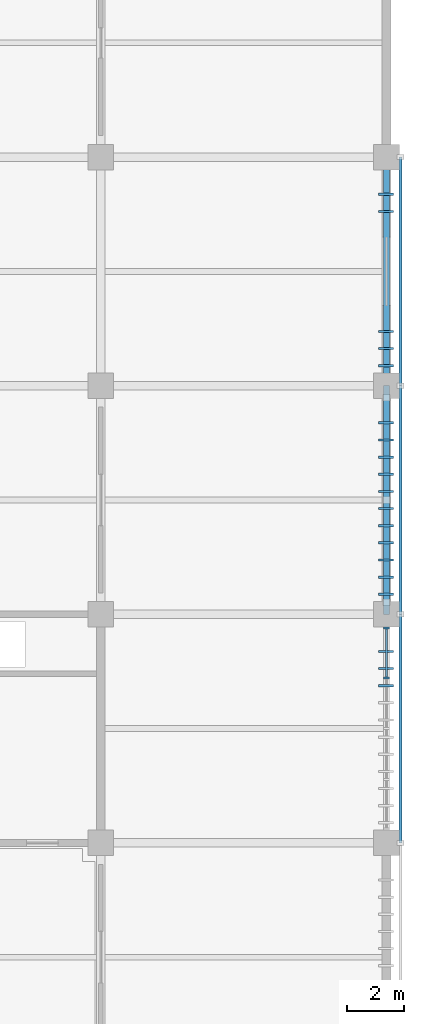
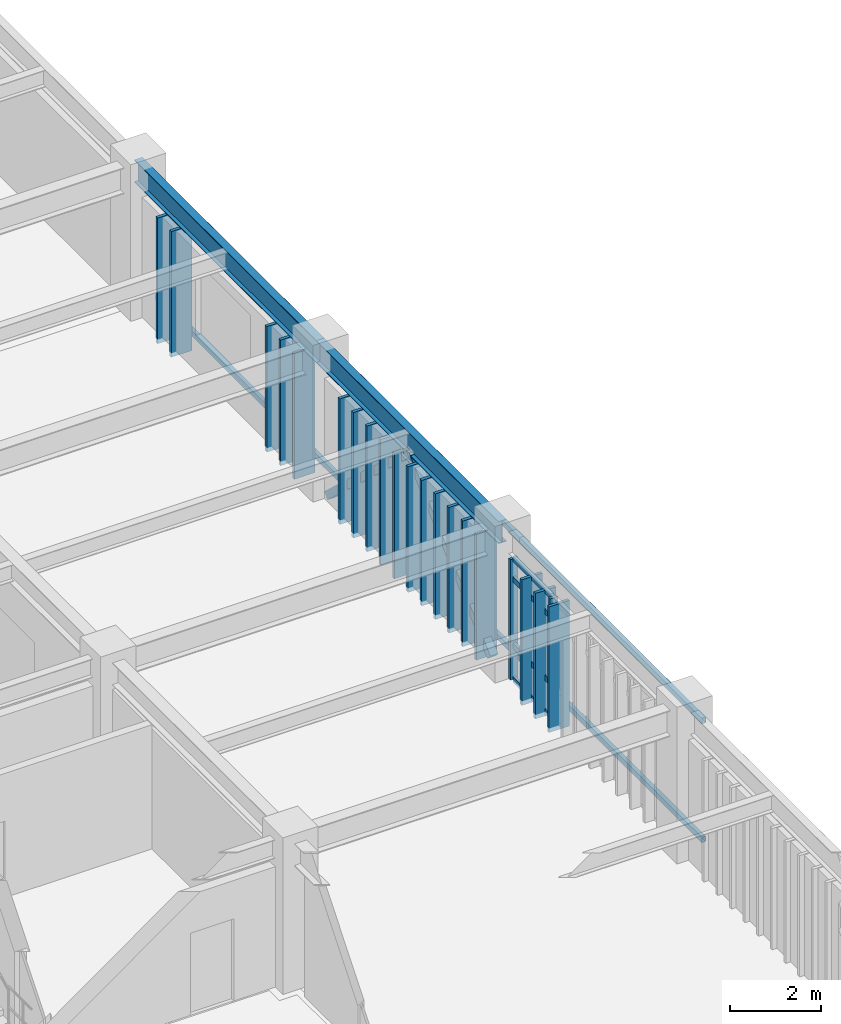
# One storey, part 49 of 118: 33 members, 2 beams, 1 element without a shape of its own.
"""IFC4 building model written with IfcOpenShell, lengths in metres."""

from ifc_helpers import new_model, si_unit, direction, frame, origin, origin_2d, place, context, subcontext, project, spatial, rectangle, hollow_rectangle, i_section, extrude, material, layer, layer_set, material_profile, profile_set, type_object, element, aggregate, save


model = new_model("IFC4")

# Units and contexts
model_context = context("Model", 3, precision=1e-05, world=origin(), true_north=direction((0.0, 1.0)))
body_context = subcontext(model_context, "Body", "Model", "MODEL_VIEW")
ifc_project = project(units=[si_unit("LENGTHUNIT", "METRE"), si_unit("AREAUNIT", "SQUARE_METRE"), si_unit("VOLUMEUNIT", "CUBIC_METRE"), si_unit("PLANEANGLEUNIT", "RADIAN"), si_unit("MASSUNIT", "GRAM", prefix="KILO")], contexts=[model_context])

# Site, building, storey
site_placement = place(None, origin())
site = spatial("IfcSite", under=ifc_project, at=site_placement, CompositionType="ELEMENT")
building_placement = place(site_placement, origin())
building = spatial("IfcBuilding", under=site, at=building_placement, Name="Haebicheon Civic Stadium", CompositionType="ELEMENT")
storey_placement = place(building_placement, frame((0.0, 0.0, 14.39990234375)))
storey = spatial("IfcBuildingStorey", under=building, at=storey_placement, Name="L04", CompositionType="ELEMENT", Elevation=14.39990234375)

# Members
ifc_material_1 = material(Name="Steel SM355 (S355)", Category="steel")
ifc_material_profile_1 = material_profile(ifc_material_1, hollow_rectangle(XDim=0.199951171875, YDim=0.199951171875, WallThickness=0.009033203125, at=origin_2d()), Name="RHS-200x200x9.0")
ifc_profile_set_1 = profile_set([ifc_material_profile_1], Name="Steel SM355 (S355)")
member_type_1 = type_object("IfcMemberType", Name="BRC-RHS200", PredefinedType="BRACE", material=ifc_profile_set_1)
for number, where, z_axis, x_axis, name in (
    (1, (236.0, 112.419921875, 0.0400390625), (0.0, 0.735278088986, 0.677765543427), (-1.0, 0.0, 0.0), "BR200 chevron brace L04 28-14 A"),
    (2, (236.0, 119.580078125, 0.0400390625), (0.0, -0.735278088986, 0.677765543427), (1.0, 0.0, 0.0), "BR200 chevron brace L04 28-14 B"),
):
    element("IfcMember", number, at=place(storey_placement, frame(where, z_axis=z_axis, x_axis=x_axis)), inside=storey, type_object=member_type_1, material=ifc_profile_set_1, Name=name, PredefinedType="BRACE", context=body_context, shape_type="SweptSolid", body=[
        extrude(hollow_rectangle(XDim=0.199951171875, YDim=0.199951171875, WallThickness=0.009033203125, at=origin_2d()), origin(), (0.0, 0.0, 1.0), 4.868896484375),
    ])

# Curtain wall, members
ifc_material_2 = material(Name="Anodised aluminium and laminated glass", Category="aluminium")
ifc_layer = layer(ifc_material_2, 0.179931640625, Name="Anodised aluminium and laminated glass")
ifc_layer_set = layer_set([ifc_layer], Name="Anodised aluminium and laminated glass")
curtain_wall_type = type_object("IfcCurtainWallType", Name="CW-7100x3230", PredefinedType="NOTDEFINED", material=ifc_layer_set)
curtain_wall_placement = place(storey_placement, origin())
curtain_wall = element("IfcCurtainWall", 3, at=curtain_wall_placement, inside=storey, type_object=curtain_wall_type, material=ifc_layer_set, Name="L04 unitised curtain wall 180", PredefinedType="NOTDEFINED")
ifc_material_3 = material(Name="Anodised aluminium 6063-T6", Category="aluminium")
ifc_material_profile_2 = material_profile(ifc_material_3, rectangle(XDim=0.070068359375, YDim=0.199951171875, at=origin_2d()), Name="ALU-MULL-70x200")
ifc_profile_set_2 = profile_set([ifc_material_profile_2], Name="Anodised aluminium 6063-T6")
member_type_2 = type_object("IfcMemberType", Name="CWM-200x70", PredefinedType="MULLION", material=ifc_profile_set_2)
member_1_placement = place(storey_placement, frame((236.0, 109.77490234375, 0.0), z_axis=(0.0, 0.0, 1.0), x_axis=(0.0, 1.0, 0.0)))
member_1 = element("IfcMember", 4, at=member_1_placement, type_object=member_type_2, material=ifc_profile_set_2, Name="CW-L04-180 vertical mullion 4", PredefinedType="MULLION", context=body_context, shape_type="SweptSolid", body=[
    extrude(rectangle(XDim=0.070068359375, YDim=0.199951171875, at=origin_2d()), origin(), (0.0, 0.0, 1.0), 3.22998046875),
])
member_2_placement = place(storey_placement, frame((236.0, 111.514892578125, 0.0), z_axis=(0.0, 0.0, 1.0), x_axis=(0.0, 1.0, 0.0)))
member_2 = element("IfcMember", 5, at=member_2_placement, type_object=member_type_2, material=ifc_profile_set_2, Name="CW-L04-180 vertical mullion 5", PredefinedType="MULLION", context=body_context, shape_type="SweptSolid", body=[
    extrude(rectangle(XDim=0.070068359375, YDim=0.199951171875, at=origin_2d()), origin(), (0.0, 0.0, 1.0), 3.22998046875),
])
ifc_material_4 = material(Name="Anodised aluminium 6063-T6", Category="aluminium")
ifc_material_profile_3 = material_profile(ifc_material_4, rectangle(XDim=0.070068359375, YDim=0.14990234375, at=origin_2d()), Name="ALU-TRAN-70x150")
ifc_profile_set_3 = profile_set([ifc_material_profile_3], Name="Anodised aluminium 6063-T6")
member_type_3 = type_object("IfcMemberType", Name="CWT-150x70", PredefinedType="NOTDEFINED", material=ifc_profile_set_3)
member_3_placement = place(storey_placement, frame((236.0, 109.81005859375, 0.0), z_axis=(0.0, 1.0, 0.0), x_axis=(-1.0, 0.0, 0.0)))
member_3 = element("IfcMember", 6, at=member_3_placement, type_object=member_type_3, material=ifc_profile_set_3, Name="CW-L04-180 horizontal transom 4.1", ObjectType="TRANSOM", PredefinedType="USERDEFINED", context=body_context, shape_type="SweptSolid", body=[
    extrude(rectangle(XDim=0.070068359375, YDim=0.14990234375, at=origin_2d()), origin(), (0.0, 0.0, 1.0), 1.669921875),
])
member_4_placement = place(storey_placement, frame((236.0, 109.81005859375, 0.900146484375), z_axis=(0.0, 1.0, 0.0), x_axis=(-1.0, 0.0, 0.0)))
member_4 = element("IfcMember", 7, at=member_4_placement, type_object=member_type_3, material=ifc_profile_set_3, Name="CW-L04-180 horizontal transom 4.2", ObjectType="TRANSOM", PredefinedType="USERDEFINED", context=body_context, shape_type="SweptSolid", body=[
    extrude(rectangle(XDim=0.070068359375, YDim=0.14990234375, at=origin_2d()), origin(), (0.0, 0.0, 1.0), 1.669921875),
])
member_5_placement = place(storey_placement, frame((236.0, 109.81005859375, 2.68017578125), z_axis=(0.0, 1.0, 0.0), x_axis=(-1.0, 0.0, 0.0)))
member_5 = element("IfcMember", 8, at=member_5_placement, type_object=member_type_3, material=ifc_profile_set_3, Name="CW-L04-180 horizontal transom 4.3", ObjectType="TRANSOM", PredefinedType="USERDEFINED", context=body_context, shape_type="SweptSolid", body=[
    extrude(rectangle(XDim=0.070068359375, YDim=0.14990234375, at=origin_2d()), origin(), (0.0, 0.0, 1.0), 1.669921875),
])
member_6_placement = place(storey_placement, frame((236.0, 109.81005859375, 3.22998046875), z_axis=(0.0, 1.0, 0.0), x_axis=(-1.0, 0.0, 0.0)))
member_6 = element("IfcMember", 9, at=member_6_placement, type_object=member_type_3, material=ifc_profile_set_3, Name="CW-L04-180 horizontal transom 4.4", ObjectType="TRANSOM", PredefinedType="USERDEFINED", context=body_context, shape_type="SweptSolid", body=[
    extrude(rectangle(XDim=0.070068359375, YDim=0.14990234375, at=origin_2d()), origin(), (0.0, 0.0, 1.0), 1.669921875),
])
aggregate(curtain_wall, [member_1, member_2, member_3, member_4, member_5, member_6])

# Members
ifc_material_5 = material(Name="Acetylated timber GL28h", Category="wood")
ifc_material_profile_4 = material_profile(ifc_material_5, rectangle(XDim=0.080078125, YDim=0.52001953125, at=origin_2d()), Name="TMB-LOUV-80x520")
ifc_profile_set_4 = profile_set([ifc_material_profile_4], Name="Acetylated timber GL28h")
member_type_4 = type_object("IfcMemberType", Name="LVR-TIM-520x80", PredefinedType="PLATE", material=ifc_profile_set_4)
for number, where, z_axis, x_axis, name in (
    (10, (235.97998046875, 109.5, -0.119873046875), (0.0, 0.0, 1.0), (0.0, 1.0, 0.0), "SCR-COMM L04 acetylated timber storm louvre fin 8.9"),
    (11, (235.97998046875, 110.10009765625, -0.119873046875), (0.0, 0.0, 1.0), (0.0, 1.0, 0.0), "SCR-COMM L04 acetylated timber storm louvre fin 8.10"),
    (12, (235.97998046875, 110.699951171875, -0.119873046875), (0.0, 0.0, 1.0), (0.0, 1.0, 0.0), "SCR-COMM L04 acetylated timber storm louvre fin 8.11"),
    (13, (235.97998046875, 112.699951171875, -0.119873046875), (0.0, 0.0, 1.0), (0.0, 1.0, 0.0), "SCR-COMM L04 acetylated timber storm louvre fin 9.1"),
    (14, (235.97998046875, 113.300048828125, -0.119873046875), (0.0, 0.0, 1.0), (0.0, 1.0, 0.0), "SCR-COMM L04 acetylated timber storm louvre fin 9.2"),
    (15, (235.97998046875, 113.89990234375, -0.119873046875), (0.0, 0.0, 1.0), (0.0, 1.0, 0.0), "SCR-COMM L04 acetylated timber storm louvre fin 9.3"),
    (16, (235.97998046875, 114.5, -0.119873046875), (0.0, 0.0, 1.0), (0.0, 1.0, 0.0), "SCR-COMM L04 acetylated timber storm louvre fin 9.4"),
    (17, (235.97998046875, 115.10009765625, -0.119873046875), (0.0, 0.0, 1.0), (0.0, 1.0, 0.0), "SCR-COMM L04 acetylated timber storm louvre fin 9.5"),
    (18, (235.97998046875, 115.699951171875, -0.119873046875), (0.0, 0.0, 1.0), (0.0, 1.0, 0.0), "SCR-COMM L04 acetylated timber storm louvre fin 9.6"),
    (19, (235.97998046875, 116.300048828125, -0.119873046875), (0.0, 0.0, 1.0), (0.0, 1.0, 0.0), "SCR-COMM L04 acetylated timber storm louvre fin 9.7"),
    (20, (235.97998046875, 116.89990234375, -0.119873046875), (0.0, 0.0, 1.0), (0.0, 1.0, 0.0), "SCR-COMM L04 acetylated timber storm louvre fin 9.8"),
    (21, (235.97998046875, 117.5, -0.119873046875), (0.0, 0.0, 1.0), (0.0, 1.0, 0.0), "SCR-COMM L04 acetylated timber storm louvre fin 9.9"),
    (22, (235.97998046875, 118.10009765625, -0.119873046875), (0.0, 0.0, 1.0), (0.0, 1.0, 0.0), "SCR-COMM L04 acetylated timber storm louvre fin 9.10"),
    (23, (235.97998046875, 118.699951171875, -0.119873046875), (0.0, 0.0, 1.0), (0.0, 1.0, 0.0), "SCR-COMM L04 acetylated timber storm louvre fin 9.11"),
    (24, (235.97998046875, 120.699951171875, -0.119873046875), (0.0, 0.0, 1.0), (0.0, 1.0, 0.0), "SCR-COMM L04 acetylated timber storm louvre fin 10.1"),
    (25, (235.97998046875, 121.300048828125, -0.119873046875), (0.0, 0.0, 1.0), (0.0, 1.0, 0.0), "SCR-COMM L04 acetylated timber storm louvre fin 10.2"),
    (26, (235.97998046875, 121.89990234375, -0.119873046875), (0.0, 0.0, 1.0), (0.0, 1.0, 0.0), "SCR-COMM L04 acetylated timber storm louvre fin 10.3"),
    (27, (235.97998046875, 126.10009765625, -0.119873046875), (0.0, 0.0, 1.0), (0.0, 1.0, 0.0), "SCR-COMM L04 acetylated timber storm louvre fin 10.10"),
    (28, (235.97998046875, 126.699951171875, -0.119873046875), (0.0, 0.0, 1.0), (0.0, 1.0, 0.0), "SCR-COMM L04 acetylated timber storm louvre fin 10.11"),
):
    element("IfcMember", number, at=place(storey_placement, frame(where, z_axis=z_axis, x_axis=x_axis)), inside=storey, type_object=member_type_4, material=ifc_profile_set_4, Name=name, PredefinedType="PLATE", context=body_context, shape_type="SweptSolid", body=[
        extrude(rectangle(XDim=0.080078125, YDim=0.52001953125, at=origin_2d()), origin(), (0.0, 0.0, 1.0), 3.369873046875),
    ])

# Beams
ifc_material_6 = material(Name="Steel SM355 (S355)", Category="steel")
ifc_material_profile_5 = material_profile(ifc_material_6, i_section(OverallWidth=0.199951171875, OverallDepth=0.60009765625, WebThickness=0.010986328125, FlangeThickness=0.01708984375, at=origin_2d()), Name="H-600x200x11x17")
ifc_profile_set_5 = profile_set([ifc_material_profile_5], Name="Steel SM355 (S355)")
beam_type = type_object("IfcBeamType", Name="SPD-ST-H600B", PredefinedType="SPANDREL", material=ifc_profile_set_5)
for number, where, z_axis, x_axis, name in (
    (29, (236.0, 112.0, 3.64013671875), (0.0, 1.0, 0.0), (-1.0, 0.0, 0.0), "L04 girder 30/Q-R"),
    (30, (236.0, 120.0, 3.64013671875), (0.0, 1.0, 0.0), (-1.0, 0.0, 0.0), "L04 girder 30/R-S"),
):
    element("IfcBeam", number, at=place(storey_placement, frame(where, z_axis=z_axis, x_axis=x_axis)), inside=storey, type_object=beam_type, material=ifc_profile_set_5, Name=name, PredefinedType="SPANDREL", context=body_context, shape_type="SweptSolid", body=[
        extrude(i_section(OverallWidth=0.199951171875, OverallDepth=0.60009765625, WebThickness=0.010986328125, FlangeThickness=0.01708984375, at=origin_2d()), origin(), (0.0, 0.0, 1.0), 8.0),
    ])

# Members
ifc_material_7 = material(Name="Steel SM355 (S355)", Category="steel")
ifc_material_profile_6 = material_profile(ifc_material_7, hollow_rectangle(XDim=0.10009765625, YDim=0.14990234375, WallThickness=0.006103515625, at=origin_2d()), Name="RHS-150x100x6.0")
ifc_profile_set_6 = profile_set([ifc_material_profile_6], Name="Steel SM355 (S355)")
member_type_5 = type_object("IfcMemberType", Name="SUB-RHS150", PredefinedType="STRINGER", material=ifc_profile_set_6)
for number, where, z_axis, x_axis, name in (
    (31, (236.489990234375, 104.0, 0.06005859375), (0.0, 1.0, 0.0), (-1.0, 0.0, 0.0), "SCR-COMM L04 storm-louvre bottom carrier rail 8"),
    (32, (236.489990234375, 104.0, 3.25), (0.0, 1.0, 0.0), (-1.0, 0.0, 0.0), "SCR-COMM L04 storm-louvre top carrier rail 8"),
    (33, (236.489990234375, 112.0, 0.06005859375), (0.0, 1.0, 0.0), (-1.0, 0.0, 0.0), "SCR-COMM L04 storm-louvre bottom carrier rail 9"),
    (34, (236.489990234375, 112.0, 3.25), (0.0, 1.0, 0.0), (-1.0, 0.0, 0.0), "SCR-COMM L04 storm-louvre top carrier rail 9"),
    (35, (236.489990234375, 120.0, 0.06005859375), (0.0, 1.0, 0.0), (-1.0, 0.0, 0.0), "SCR-COMM L04 storm-louvre bottom carrier rail 10"),
    (36, (236.489990234375, 120.0, 3.25), (0.0, 1.0, 0.0), (-1.0, 0.0, 0.0), "SCR-COMM L04 storm-louvre top carrier rail 10"),
):
    element("IfcMember", number, at=place(storey_placement, frame(where, z_axis=z_axis, x_axis=x_axis)), inside=storey, type_object=member_type_5, material=ifc_profile_set_6, Name=name, PredefinedType="STRINGER", context=body_context, shape_type="SweptSolid", body=[
        extrude(hollow_rectangle(XDim=0.10009765625, YDim=0.14990234375, WallThickness=0.006103515625, at=origin_2d()), origin(), (0.0, 0.0, 1.0), 8.0),
    ])

save(model, "model.ifc")
